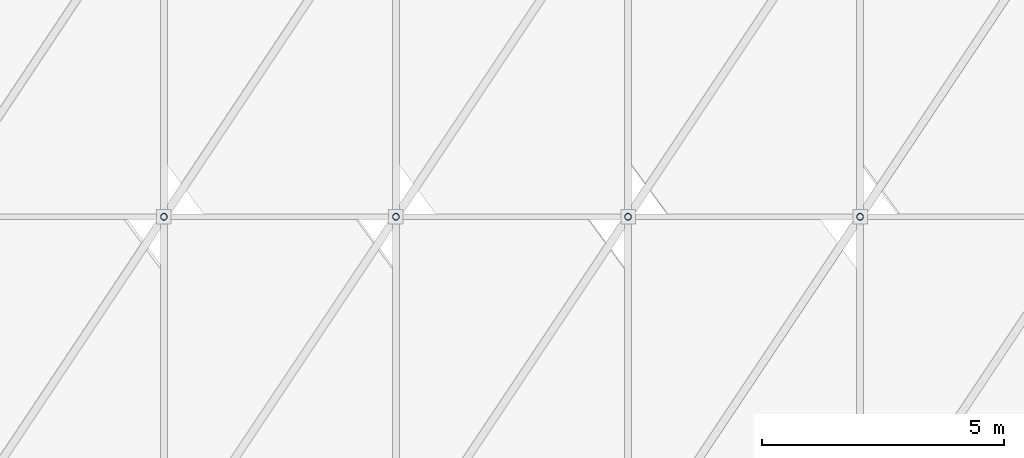
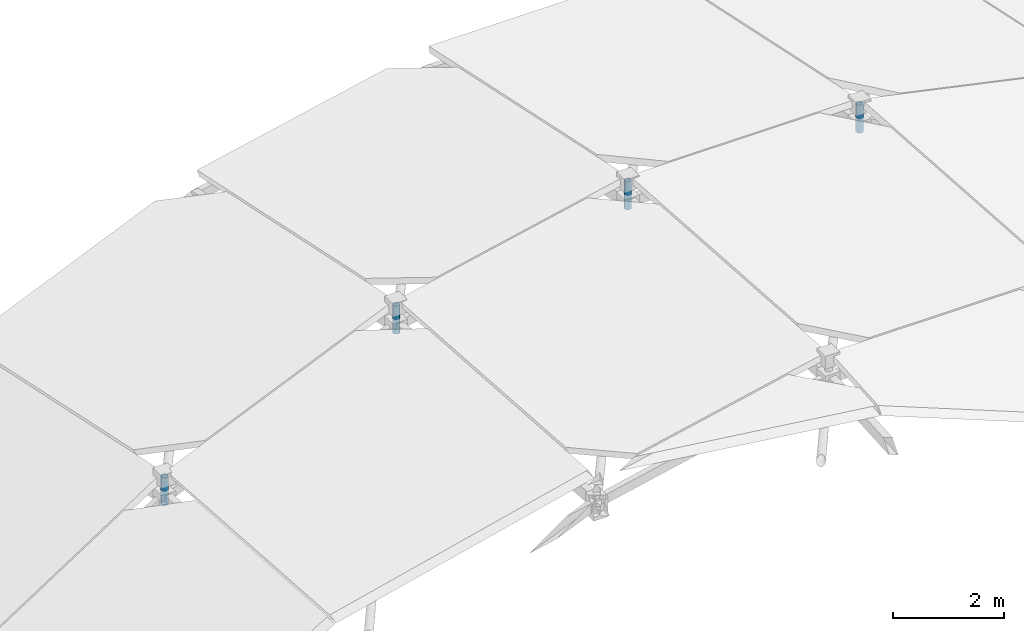
# One storey, part 5 of 9: 4 members.
"""IFC4 building model written with IfcOpenShell, lengths in metres."""

from ifc_helpers import new_model, si_unit, direction, frame, origin, origin_2d, place, context, subcontext, project, spatial, hollow_circle, extrude, material, material_profile, profile_set, type_object, element, save


model = new_model("IFC4")

# Units and contexts
model_context = context("Model", 3, precision=1e-05, world=origin(), true_north=direction((0.0, 1.0)))
body_context = subcontext(model_context, "Body", "Model", "MODEL_VIEW")
ifc_project = project(units=[si_unit("LENGTHUNIT", "METRE"), si_unit("AREAUNIT", "SQUARE_METRE"), si_unit("VOLUMEUNIT", "CUBIC_METRE"), si_unit("PLANEANGLEUNIT", "RADIAN"), si_unit("MASSUNIT", "GRAM", prefix="KILO")], contexts=[model_context])

# Site, building, storey
site_placement = place(None, origin())
site = spatial("IfcSite", under=ifc_project, at=site_placement, CompositionType="ELEMENT")
building_placement = place(site_placement, origin())
building = spatial("IfcBuilding", under=site, at=building_placement, Name="Kahlenmark Community Centre", CompositionType="ELEMENT")
storey_placement = place(building_placement, frame((0.0, 0.0, 25.199951171875)))
storey = spatial("IfcBuildingStorey", under=building, at=storey_placement, Name="RF", CompositionType="ELEMENT", Elevation=25.199951171875)

# Members
ifc_material = material(Name="Steel S355", Category="steel")
ifc_material_profile = material_profile(ifc_material, hollow_circle(Radius=0.06982421875, WallThickness=0.00634765625, at=origin_2d()), Name="CHS 139.7x6.3")
ifc_profile_set = profile_set([ifc_material_profile], Name="Steel S355")
member_type = type_object("IfcMemberType", Name="MT-STRUT-CHS139.7x6.3", PredefinedType="STRUT", material=ifc_profile_set)
member_placement = place(storey_placement, frame((17.199951171875, 30.39990234375, -2.69921875), z_axis=(0.0, 0.0, 1.0), x_axis=(1.0, 0.0, 0.0)))
element("IfcMember", 1, at=member_placement, inside=storey, type_object=member_type, Name="RF strut GS-SEAT", PredefinedType="STRUT", context=body_context, shape_type="SweptSolid", body=[
    extrude(hollow_circle(Radius=0.06982421875, WallThickness=0.00634765625, at=origin_2d()), origin(), (0.0, 0.0, 1.0), 0.60986328125),
])
for number, where, z_axis, x_axis, name in (
    (2, (22.0, 30.39990234375, -0.62060546875), (0.0, 0.0, 1.0), (1.0, 0.0, 0.0), "RF strut GS-SEAT"),
    (3, (26.800048828125, 30.39990234375, 0.418701171875), (0.0, 0.0, 1.0), (1.0, 0.0, 0.0), "RF strut GS-SEAT"),
    (4, (31.60009765625, 30.39990234375, 0.418701171875), (0.0, 0.0, 1.0), (1.0, 0.0, 0.0), "RF strut GS-SEAT"),
):
    element("IfcMember", number, at=place(storey_placement, frame(where, z_axis=z_axis, x_axis=x_axis)), inside=storey, type_object=member_type, Name=name, PredefinedType="STRUT", context=body_context, shape_type="SweptSolid", body=[
        extrude(hollow_circle(Radius=0.06982421875, WallThickness=0.00634765625, at=origin_2d()), origin(), (0.0, 0.0, 1.0), 0.610107421875),
    ])

save(model, "model.ifc")
